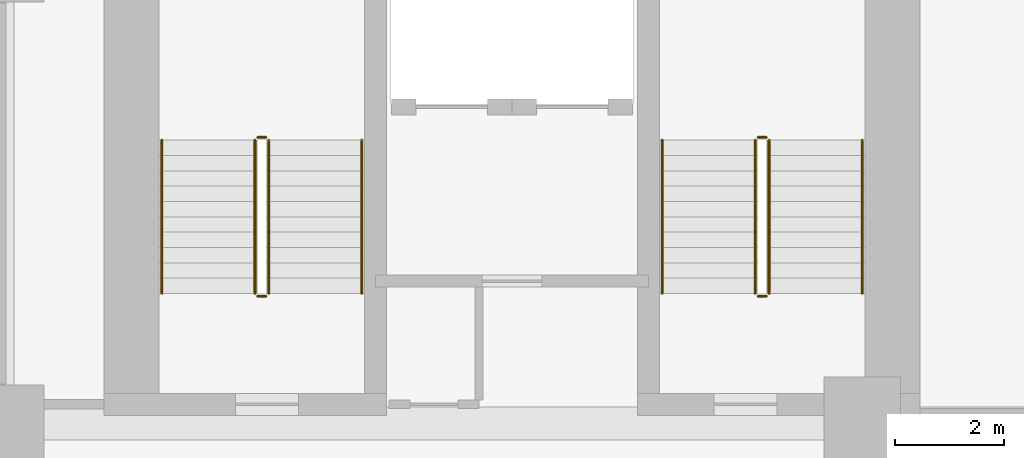
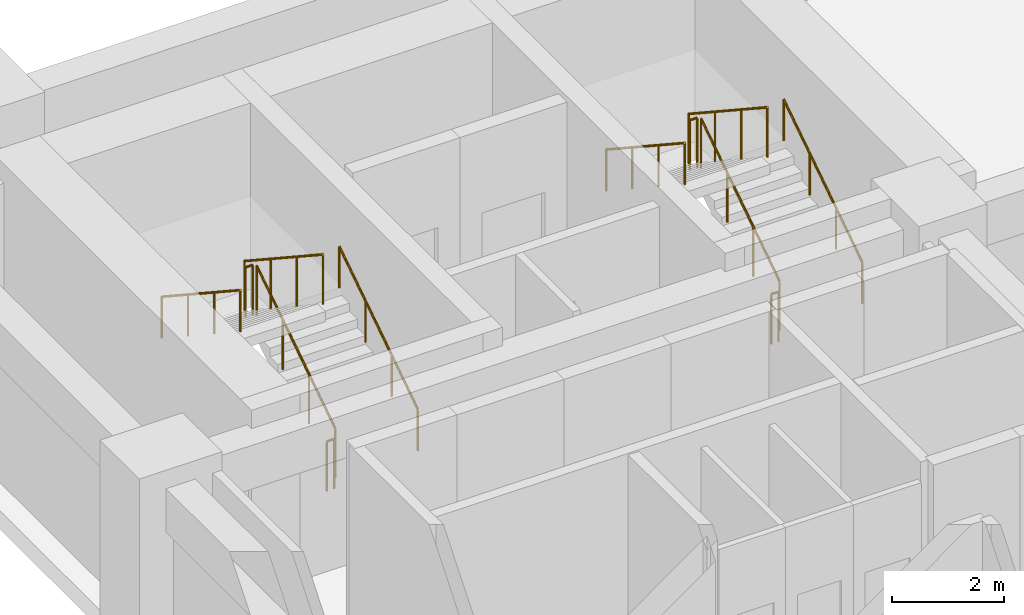
# One storey, part 6 of 7: 12 railings.
"""IFC4 building model written with IfcOpenShell, lengths in metres."""

from ifc_helpers import new_model, si_unit, direction, frame, origin, origin_2d, place, context, subcontext, project, spatial, circle, extrude, material, type_object, element, save


model = new_model("IFC4")

# Units and contexts
model_context = context("Model", 3, precision=1e-05, world=origin(), true_north=direction((0.0, 1.0)))
body_context = subcontext(model_context, "Body", "Model", "MODEL_VIEW")
ifc_project = project(units=[si_unit("LENGTHUNIT", "METRE"), si_unit("AREAUNIT", "SQUARE_METRE"), si_unit("VOLUMEUNIT", "CUBIC_METRE"), si_unit("PLANEANGLEUNIT", "RADIAN"), si_unit("MASSUNIT", "GRAM", prefix="KILO")], contexts=[model_context])

# Site, building, storey
site_placement = place(None, origin())
site = spatial("IfcSite", under=ifc_project, at=site_placement, CompositionType="ELEMENT")
building_placement = place(site_placement, origin())
building = spatial("IfcBuilding", under=site, at=building_placement, Name="Sulina Concourse Tower", CompositionType="ELEMENT")
storey_placement = place(building_placement, frame((0.0, 0.0, 13.5)))
storey = spatial("IfcBuildingStorey", under=building, at=storey_placement, Name="L03", CompositionType="ELEMENT", Elevation=13.5)

# Railings
ifc_material_1 = material(Name="Galvanised steel railing", Category="steel")
railing_type_1 = type_object("IfcRailingType", Name="Core Stair Steel Guardrail 1150mm", PredefinedType="GUARDRAIL", material=ifc_material_1)
railing_1_placement = place(storey_placement, frame((5.554931640625, 36.375, 0.18408203125)))
element("IfcRailing", 1, at=railing_1_placement, inside=storey, type_object=railing_type_1, Name="L03 ST-1 stair guard 1", PredefinedType="GUARDRAIL", context=body_context, shape_type="SweptSolid", body=[
    extrude(circle(Radius=0.02392578125, at=origin_2d()), frame((0.0, 0.0, 1.076171875), z_axis=(0.0, 0.835597507184, 0.549342157483), x_axis=(-1.0, 0.0, 0.0)), (0.0, 0.0, 1.0), 3.35107421875),
    extrude(circle(Radius=0.02099609375, at=origin_2d()), origin(), (0.0, 0.0, 1.0), 1.052001953125),
    extrude(circle(Radius=0.02099609375, at=origin_2d()), frame((0.0, 0.933349609375, 0.613525390625)), (0.0, 0.0, 1.0), 1.052001953125),
    extrude(circle(Radius=0.02099609375, at=origin_2d()), frame((0.0, 1.86669921875, 1.227294921875)), (0.0, 0.0, 1.0), 1.052001953125),
    extrude(circle(Radius=0.02099609375, at=origin_2d()), frame((0.0, 2.800048828125, 1.8408203125)), (0.0, 0.0, 1.0), 1.052001953125),
])
railing_2_placement = place(storey_placement, frame((5.5048828125, 39.22509765625, 2.02490234375)))
element("IfcRailing", 2, at=railing_2_placement, inside=storey, type_object=railing_type_1, Name="L03 ST-1 stair guard 2", PredefinedType="GUARDRAIL", context=body_context, shape_type="SweptSolid", body=[
    extrude(circle(Radius=0.02392578125, at=origin_2d()), frame((0.0, 0.0, 1.076171875), z_axis=(-1.0, 0.0, 0.0), x_axis=(0.0, -1.0, 0.0)), (0.0, 0.0, 1.0), 0.14990234375),
    extrude(circle(Radius=0.02099609375, at=origin_2d()), origin(), (0.0, 0.0, 1.0), 1.052001953125),
    extrude(circle(Radius=0.02099609375, at=origin_2d()), frame((-0.14990234375, 0.0, 0.0)), (0.0, 0.0, 1.0), 1.052001953125),
])
railing_3_placement = place(storey_placement, frame((5.304931640625, 39.175048828125, 2.208984375)))
element("IfcRailing", 3, at=railing_3_placement, inside=storey, type_object=railing_type_1, Name="L03 ST-1 stair guard 3", PredefinedType="GUARDRAIL", context=body_context, shape_type="SweptSolid", body=[
    extrude(circle(Radius=0.02392578125, at=origin_2d()), frame((0.0, 0.0, 1.076171875), z_axis=(0.0, -0.83556406348, 0.549393024911), x_axis=(1.0, 0.0, 0.0)), (0.0, 0.0, 1.0), 3.35107421875),
    extrude(circle(Radius=0.02099609375, at=origin_2d()), origin(), (0.0, 0.0, 1.0), 1.052001953125),
    extrude(circle(Radius=0.02099609375, at=origin_2d()), frame((0.0, -0.933349609375, 0.61376953125)), (0.0, 0.0, 1.0), 1.052001953125),
    extrude(circle(Radius=0.02099609375, at=origin_2d()), frame((0.0, -1.86669921875, 1.227294921875)), (0.0, 0.0, 1.0), 1.052001953125),
    extrude(circle(Radius=0.02099609375, at=origin_2d()), frame((0.0, -2.800048828125, 1.841064453125)), (0.0, 0.0, 1.0), 1.052001953125),
])
railing_4_placement = place(storey_placement, frame((5.5048828125, 36.324951171875, 0.0)))
element("IfcRailing", 4, at=railing_4_placement, inside=storey, type_object=railing_type_1, Name="L03 ST-1 stair guard 4", PredefinedType="GUARDRAIL", context=body_context, shape_type="SweptSolid", body=[
    extrude(circle(Radius=0.02392578125, at=origin_2d()), frame((0.0, 0.0, 1.076171875), z_axis=(-1.0, 0.0, 0.0), x_axis=(0.0, -1.0, 0.0)), (0.0, 0.0, 1.0), 0.14990234375),
    extrude(circle(Radius=0.02099609375, at=origin_2d()), origin(), (0.0, 0.0, 1.0), 1.052001953125),
    extrude(circle(Radius=0.02099609375, at=origin_2d()), frame((-0.14990234375, 0.0, 0.0)), (0.0, 0.0, 1.0), 1.052001953125),
])
railing_5_placement = place(storey_placement, frame((14.695068359375, 36.375, 0.18408203125)))
element("IfcRailing", 5, at=railing_5_placement, inside=storey, type_object=railing_type_1, Name="L03 ST-2 stair guard 1", PredefinedType="GUARDRAIL", context=body_context, shape_type="SweptSolid", body=[
    extrude(circle(Radius=0.02392578125, at=origin_2d()), frame((0.0, 0.0, 1.076171875), z_axis=(0.0, 0.835597507184, 0.549342157483), x_axis=(-1.0, 0.0, 0.0)), (0.0, 0.0, 1.0), 3.35107421875),
    extrude(circle(Radius=0.02099609375, at=origin_2d()), origin(), (0.0, 0.0, 1.0), 1.052001953125),
    extrude(circle(Radius=0.02099609375, at=origin_2d()), frame((0.0, 0.933349609375, 0.613525390625)), (0.0, 0.0, 1.0), 1.052001953125),
    extrude(circle(Radius=0.02099609375, at=origin_2d()), frame((0.0, 1.86669921875, 1.227294921875)), (0.0, 0.0, 1.0), 1.052001953125),
    extrude(circle(Radius=0.02099609375, at=origin_2d()), frame((0.0, 2.800048828125, 1.8408203125)), (0.0, 0.0, 1.0), 1.052001953125),
])
railing_6_placement = place(storey_placement, frame((14.64501953125, 39.22509765625, 2.02490234375)))
element("IfcRailing", 6, at=railing_6_placement, inside=storey, type_object=railing_type_1, Name="L03 ST-2 stair guard 2", PredefinedType="GUARDRAIL", context=body_context, shape_type="SweptSolid", body=[
    extrude(circle(Radius=0.02392578125, at=origin_2d()), frame((0.0, 0.0, 1.076171875), z_axis=(-1.0, 0.0, 0.0), x_axis=(0.0, -1.0, 0.0)), (0.0, 0.0, 1.0), 0.14990234375),
    extrude(circle(Radius=0.02099609375, at=origin_2d()), origin(), (0.0, 0.0, 1.0), 1.052001953125),
    extrude(circle(Radius=0.02099609375, at=origin_2d()), frame((-0.14990234375, 0.0, 0.0)), (0.0, 0.0, 1.0), 1.052001953125),
])
railing_7_placement = place(storey_placement, frame((14.445068359375, 39.175048828125, 2.208984375)))
element("IfcRailing", 7, at=railing_7_placement, inside=storey, type_object=railing_type_1, Name="L03 ST-2 stair guard 3", PredefinedType="GUARDRAIL", context=body_context, shape_type="SweptSolid", body=[
    extrude(circle(Radius=0.02392578125, at=origin_2d()), frame((0.0, 0.0, 1.076171875), z_axis=(0.0, -0.83556406348, 0.549393024911), x_axis=(1.0, 0.0, 0.0)), (0.0, 0.0, 1.0), 3.35107421875),
    extrude(circle(Radius=0.02099609375, at=origin_2d()), origin(), (0.0, 0.0, 1.0), 1.052001953125),
    extrude(circle(Radius=0.02099609375, at=origin_2d()), frame((0.0, -0.933349609375, 0.61376953125)), (0.0, 0.0, 1.0), 1.052001953125),
    extrude(circle(Radius=0.02099609375, at=origin_2d()), frame((0.0, -1.86669921875, 1.227294921875)), (0.0, 0.0, 1.0), 1.052001953125),
    extrude(circle(Radius=0.02099609375, at=origin_2d()), frame((0.0, -2.800048828125, 1.841064453125)), (0.0, 0.0, 1.0), 1.052001953125),
])
railing_8_placement = place(storey_placement, frame((14.64501953125, 36.324951171875, 0.0)))
element("IfcRailing", 8, at=railing_8_placement, inside=storey, type_object=railing_type_1, Name="L03 ST-2 stair guard 4", PredefinedType="GUARDRAIL", context=body_context, shape_type="SweptSolid", body=[
    extrude(circle(Radius=0.02392578125, at=origin_2d()), frame((0.0, 0.0, 1.076171875), z_axis=(-1.0, 0.0, 0.0), x_axis=(0.0, -1.0, 0.0)), (0.0, 0.0, 1.0), 0.14990234375),
    extrude(circle(Radius=0.02099609375, at=origin_2d()), origin(), (0.0, 0.0, 1.0), 1.052001953125),
    extrude(circle(Radius=0.02099609375, at=origin_2d()), frame((-0.14990234375, 0.0, 0.0)), (0.0, 0.0, 1.0), 1.052001953125),
])
ifc_material_2 = material(Name="Galvanised steel railing", Category="steel")
railing_type_2 = type_object("IfcRailingType", Name="Stair Wall Steel Handrail 920mm", PredefinedType="HANDRAIL", material=ifc_material_2)
railing_9_placement = place(storey_placement, frame((7.2548828125, 36.375, 0.18408203125)))
element("IfcRailing", 9, at=railing_9_placement, inside=storey, type_object=railing_type_2, Name="L03 ST-1 stair handrail 1", PredefinedType="HANDRAIL", context=body_context, shape_type="SweptSolid", body=[
    extrude(circle(Radius=0.02392578125, at=origin_2d()), frame((0.0, 0.0, 0.89599609375), z_axis=(0.0, 0.835597507184, 0.549342157483), x_axis=(-1.0, 0.0, 0.0)), (0.0, 0.0, 1.0), 3.35107421875),
    extrude(circle(Radius=0.02099609375, at=origin_2d()), origin(), (0.0, 0.0, 1.0), 0.871826171875),
    extrude(circle(Radius=0.02099609375, at=origin_2d()), frame((0.0, 0.933349609375, 0.613525390625)), (0.0, 0.0, 1.0), 0.871826171875),
    extrude(circle(Radius=0.02099609375, at=origin_2d()), frame((0.0, 1.86669921875, 1.227294921875)), (0.0, 0.0, 1.0), 0.871826171875),
    extrude(circle(Radius=0.02099609375, at=origin_2d()), frame((0.0, 2.800048828125, 1.8408203125)), (0.0, 0.0, 1.0), 0.871826171875),
])
railing_10_placement = place(storey_placement, frame((3.60498046875, 39.175048828125, 2.208984375)))
element("IfcRailing", 10, at=railing_10_placement, inside=storey, type_object=railing_type_2, Name="L03 ST-1 stair handrail 2", PredefinedType="HANDRAIL", context=body_context, shape_type="SweptSolid", body=[
    extrude(circle(Radius=0.02392578125, at=origin_2d()), frame((0.0, 0.0, 0.89599609375), z_axis=(0.0, -0.83556406348, 0.549393024911), x_axis=(1.0, 0.0, 0.0)), (0.0, 0.0, 1.0), 3.35107421875),
    extrude(circle(Radius=0.02099609375, at=origin_2d()), origin(), (0.0, 0.0, 1.0), 0.871826171875),
    extrude(circle(Radius=0.02099609375, at=origin_2d()), frame((0.0, -0.933349609375, 0.61376953125)), (0.0, 0.0, 1.0), 0.871826171875),
    extrude(circle(Radius=0.02099609375, at=origin_2d()), frame((0.0, -1.86669921875, 1.227294921875)), (0.0, 0.0, 1.0), 0.871826171875),
    extrude(circle(Radius=0.02099609375, at=origin_2d()), frame((0.0, -2.800048828125, 1.841064453125)), (0.0, 0.0, 1.0), 0.871826171875),
])
railing_11_placement = place(storey_placement, frame((16.39501953125, 36.375, 0.18408203125)))
element("IfcRailing", 11, at=railing_11_placement, inside=storey, type_object=railing_type_2, Name="L03 ST-2 stair handrail 1", PredefinedType="HANDRAIL", context=body_context, shape_type="SweptSolid", body=[
    extrude(circle(Radius=0.02392578125, at=origin_2d()), frame((0.0, 0.0, 0.89599609375), z_axis=(0.0, 0.835597507184, 0.549342157483), x_axis=(-1.0, 0.0, 0.0)), (0.0, 0.0, 1.0), 3.35107421875),
    extrude(circle(Radius=0.02099609375, at=origin_2d()), origin(), (0.0, 0.0, 1.0), 0.871826171875),
    extrude(circle(Radius=0.02099609375, at=origin_2d()), frame((0.0, 0.933349609375, 0.613525390625)), (0.0, 0.0, 1.0), 0.871826171875),
    extrude(circle(Radius=0.02099609375, at=origin_2d()), frame((0.0, 1.86669921875, 1.227294921875)), (0.0, 0.0, 1.0), 0.871826171875),
    extrude(circle(Radius=0.02099609375, at=origin_2d()), frame((0.0, 2.800048828125, 1.8408203125)), (0.0, 0.0, 1.0), 0.871826171875),
])
railing_12_placement = place(storey_placement, frame((12.7451171875, 39.175048828125, 2.208984375)))
element("IfcRailing", 12, at=railing_12_placement, inside=storey, type_object=railing_type_2, Name="L03 ST-2 stair handrail 2", PredefinedType="HANDRAIL", context=body_context, shape_type="SweptSolid", body=[
    extrude(circle(Radius=0.02392578125, at=origin_2d()), frame((0.0, 0.0, 0.89599609375), z_axis=(0.0, -0.83556406348, 0.549393024911), x_axis=(1.0, 0.0, 0.0)), (0.0, 0.0, 1.0), 3.35107421875),
    extrude(circle(Radius=0.02099609375, at=origin_2d()), origin(), (0.0, 0.0, 1.0), 0.871826171875),
    extrude(circle(Radius=0.02099609375, at=origin_2d()), frame((0.0, -0.933349609375, 0.61376953125)), (0.0, 0.0, 1.0), 0.871826171875),
    extrude(circle(Radius=0.02099609375, at=origin_2d()), frame((0.0, -1.86669921875, 1.227294921875)), (0.0, 0.0, 1.0), 0.871826171875),
    extrude(circle(Radius=0.02099609375, at=origin_2d()), frame((0.0, -2.800048828125, 1.841064453125)), (0.0, 0.0, 1.0), 0.871826171875),
])

save(model, "model.ifc")
